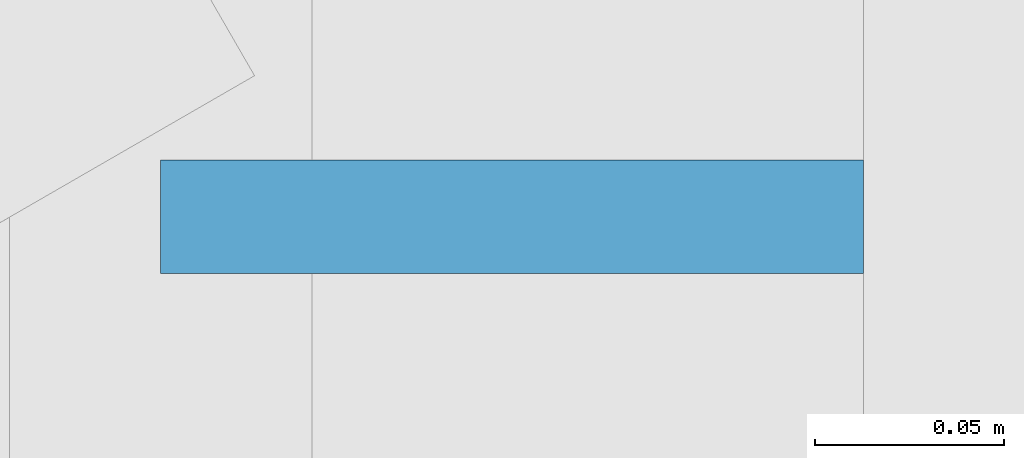
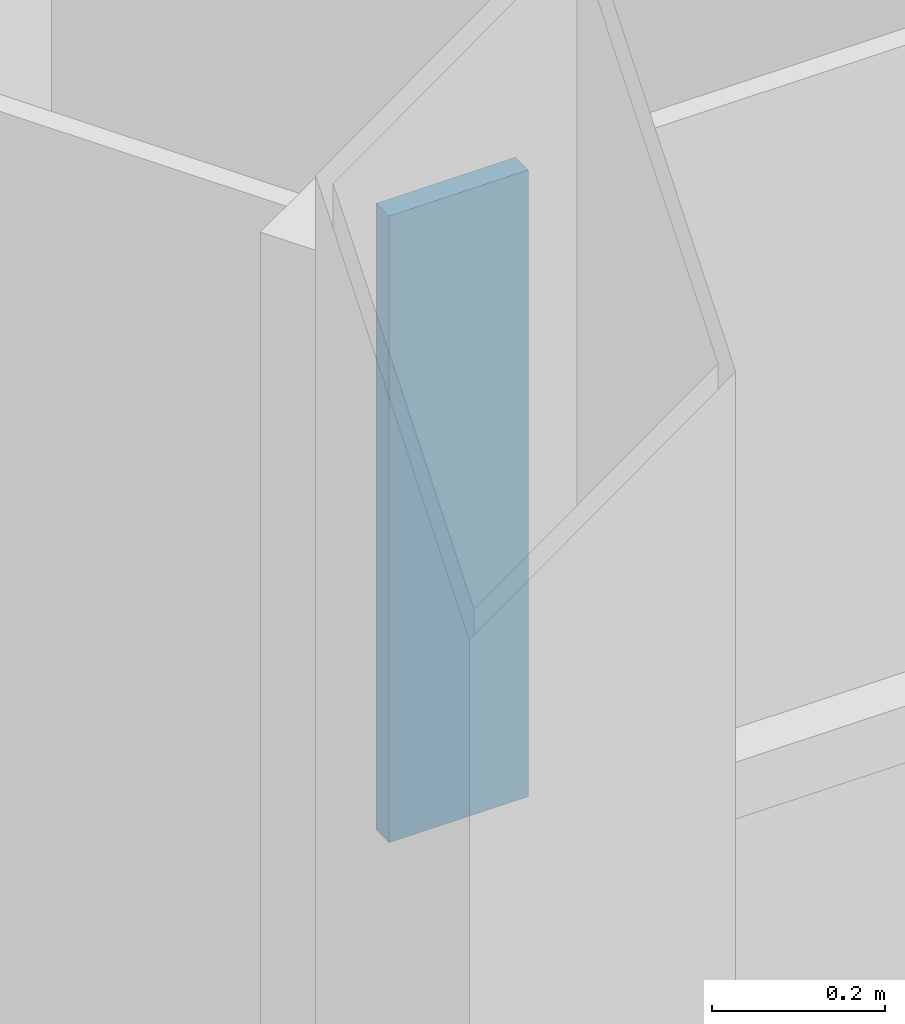
# One storey, part 16 of 23: 1 plate, 1 element without a shape of its own.
"""IFC4 building model written with IfcOpenShell, lengths in metres."""

from ifc_helpers import new_model, si_unit, direction, frame, origin, place, context, subcontext, project, spatial, polyline, outline, extrude, material, layer, layer_set, type_object, element, aggregate, save


model = new_model("IFC4")

# Units and contexts
model_context = context("Model", 3, precision=1e-05, world=origin(), true_north=direction((0.0, 1.0)))
body_context = subcontext(model_context, "Body", "Model", "MODEL_VIEW")
ifc_project = project(units=[si_unit("LENGTHUNIT", "METRE"), si_unit("AREAUNIT", "SQUARE_METRE"), si_unit("VOLUMEUNIT", "CUBIC_METRE"), si_unit("PLANEANGLEUNIT", "RADIAN"), si_unit("MASSUNIT", "GRAM", prefix="KILO")], contexts=[model_context])

# Site, building, storey
site_placement = place(None, origin())
site = spatial("IfcSite", under=ifc_project, at=site_placement, CompositionType="ELEMENT")
building_placement = place(site_placement, origin())
building = spatial("IfcBuilding", under=site, at=building_placement, Name="Firuza Gate Tower and Library", CompositionType="ELEMENT")
storey_placement = place(building_placement, frame((0.0, 0.0, 291.60009765625)))
storey = spatial("IfcBuildingStorey", under=building, at=storey_placement, Name="L70", CompositionType="ELEMENT", Elevation=291.60009765625)

# Curtain wall, plate
ifc_material_1 = material(Name="Aluminium 6063-T6", Category="aluminium")
ifc_layer_1 = layer(ifc_material_1, 0.14990234375)
ifc_layer_set_1 = layer_set([ifc_layer_1], Name="Unitised curtain wall, residences")
curtain_wall_type = type_object("IfcCurtainWallType", Name="Unitised curtain wall, residences", PredefinedType="NOTDEFINED", material=ifc_layer_set_1)
curtain_wall_placement = place(storey_placement, origin())
curtain_wall = element("IfcCurtainWall", 1, at=curtain_wall_placement, inside=storey, type_object=curtain_wall_type, Name="CW3 L70 S face", PredefinedType="NOTDEFINED")
ifc_material_2 = material(Name="Glazed ceramic tile")
ifc_layer_2 = layer(ifc_material_2, 0.030029296875)
ifc_layer_set_2 = layer_set([ifc_layer_2], Name="Opaque ceramic panel, residences")
plate_type = type_object("IfcPlateType", Name="Opaque ceramic panel, residences", PredefinedType="CURTAIN_PANEL", material=ifc_layer_set_2)
plate_placement = place(storey_placement, frame((53.25, 58.19775390625, 2.414794921875), z_axis=(0.0, -1.0, 0.0), x_axis=(1.0, 0.0, 0.0)))
plate = element("IfcPlate", 2, at=plate_placement, type_object=plate_type, Name="Opaque ceramic panel", PredefinedType="CURTAIN_PANEL", context=body_context, shape_type="SweptSolid", body=[
    extrude(outline(polyline([(0.0, 0.0), (0.18603515625, 0.0), (0.18603515625, 0.885009765625), (0.0, 0.885009765625), (0.0, 0.0)])), origin(), (0.0, 0.0, -1.0), 0.030029296875),
])
aggregate(curtain_wall, [plate])

save(model, "model.ifc")
